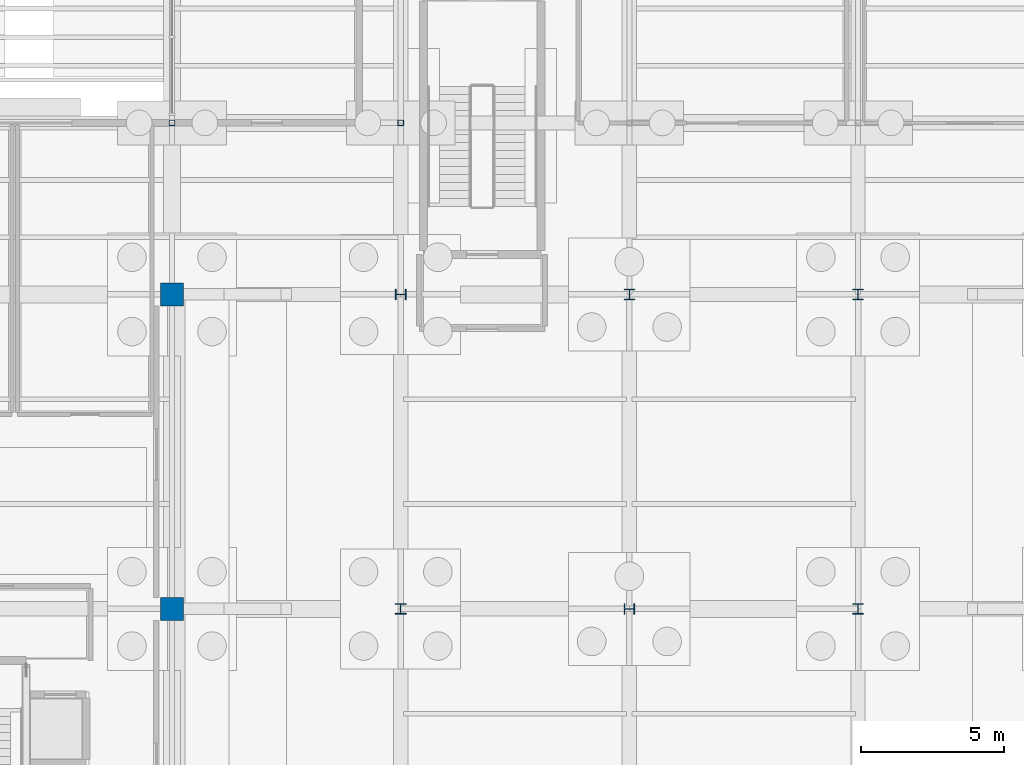
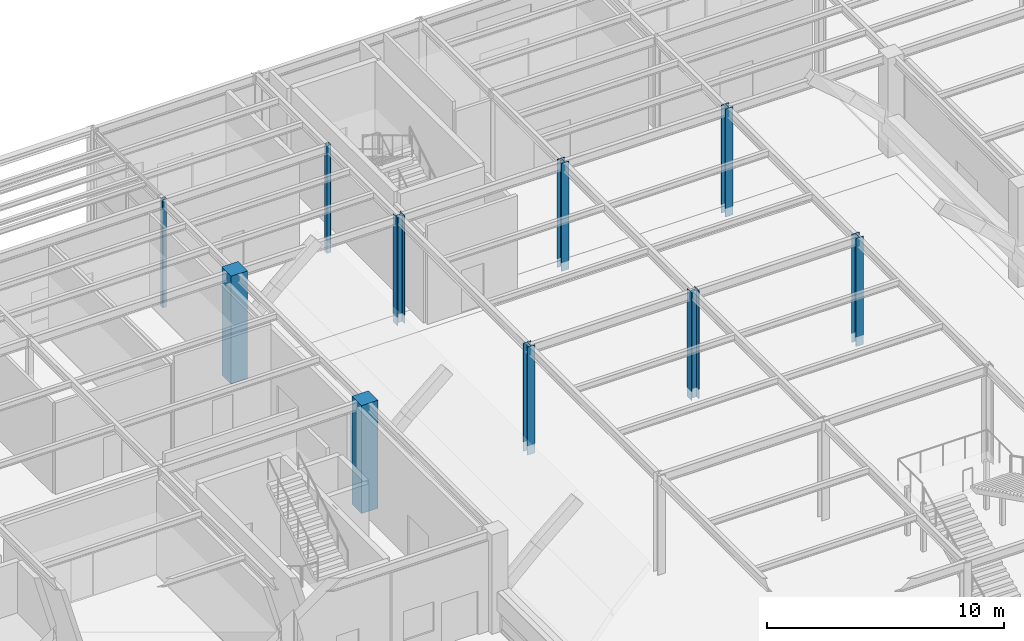
# One storey, part 22 of 129: 10 columns.
"""IFC4 building model written with IfcOpenShell, lengths in metres."""

import ifcopenshell
import ifcopenshell.guid

model = None  # the IFC model being written
_history = None  # IfcOwnerHistory: only IFC2X3 demands one
_inside = {}  # id of a spatial element -> (the spatial element, [elements in it])
_under = {}  # id of a project, library or spatial element -> (it, [spatial elements below it])
_declared = {}  # id of a project -> (the project, [libraries it declares])
_typed = {}  # id of a type object -> (the type object, [elements of that type])
_made_of = {}  # id of a material, layer set ... -> (it, [elements and type objects made of it])


def new_model(schema):
    """Start an empty IFC model of exactly this schema.

    Asked for "IFC4X3", IfcOpenShell would pick the latest addendum, in which some entities
    have other attributes; the version numbers below select the first issue.
    IFC2X3 requires an IfcOwnerHistory on every rooted entity: one is made here for all.
    """
    global model, _history
    if schema == "IFC4X3":
        model = ifcopenshell.file(schema_version=(4, 3, 0, 0))
    else:
        model = ifcopenshell.file(schema=schema)
    _inside.clear()
    _under.clear()
    _declared.clear()
    _typed.clear()
    _made_of.clear()
    _history = None
    if model.schema == "IFC2X3":
        org = make("IfcOrganization", Name="unknown")
        user = make(
            "IfcPersonAndOrganization",
            ThePerson=make("IfcPerson", FamilyName="unknown"),
            TheOrganization=org,
        )
        app = make(
            "IfcApplication",
            ApplicationDeveloper=org,
            Version="unknown",
            ApplicationFullName="unknown",
            ApplicationIdentifier="unknown",
        )
        _history = make(
            "IfcOwnerHistory",
            OwningUser=user,
            OwningApplication=app,
            ChangeAction="ADDED",
            CreationDate=0,
        )
    return model


def make(cls, **values):
    """One entity of the class cls with the attributes given. An attribute that is None is left unset."""
    return model.create_entity(
        cls, **{name: value for name, value in values.items() if value is not None}
    )


def rooted(cls, **values):
    """An entity with a GlobalId (a new one), such as an element, a storey or a relation."""
    return make(cls, GlobalId=ifcopenshell.guid.new(), OwnerHistory=_history, **values)


def si_unit(unit_type, name, prefix=None):
    """IfcSIUnit, for example si_unit("LENGTHUNIT", "METRE", prefix="MILLI")."""
    return make("IfcSIUnit", UnitType=unit_type, Prefix=prefix, Name=name)


def assignment(units):
    """IfcUnitAssignment: the units of a project."""
    return None if units is None else make("IfcUnitAssignment", Units=units)


def point(xyz):
    """IfcCartesianPoint."""
    return None if xyz is None else make("IfcCartesianPoint", Coordinates=xyz)


def direction(xyz):
    """IfcDirection."""
    return None if xyz is None else make("IfcDirection", DirectionRatios=xyz)


def frame(location, z_axis=None, x_axis=None):
    """IfcAxis2Placement3D, a coordinate frame: its origin and axes. An axis left out is left unset."""
    return make(
        "IfcAxis2Placement3D",
        Location=point(location),
        Axis=direction(z_axis),
        RefDirection=direction(x_axis),
    )


def frame_2d(location, x_axis=None):
    """IfcAxis2Placement2D, a coordinate frame in the plane: its origin and x axis."""
    return make(
        "IfcAxis2Placement2D", Location=point(location), RefDirection=direction(x_axis)
    )


def origin():
    """The frame at (0, 0, 0) with its axes left unset."""
    return frame((0.0, 0.0, 0.0))


def origin_2d():
    """The frame at (0, 0) in the plane with its x axis left unset."""
    return frame_2d((0.0, 0.0))


def place(relative_to, where):
    """IfcLocalPlacement: puts the frame where relative to a parent placement (None: the world)."""
    return make(
        "IfcLocalPlacement", PlacementRelTo=relative_to, RelativePlacement=where
    )


def context(
    kind, dimensions, precision=None, world=None, true_north=None, identifier=None
):
    """IfcGeometricRepresentationContext, for example the 3D "Model" context."""
    return make(
        "IfcGeometricRepresentationContext",
        ContextIdentifier=identifier,
        ContextType=kind,
        CoordinateSpaceDimension=dimensions,
        Precision=precision,
        WorldCoordinateSystem=world,
        TrueNorth=true_north,
    )


def subcontext(parent, identifier, kind, view, scale=None):
    """IfcGeometricRepresentationSubContext, for example "Body" below "Model"."""
    return make(
        "IfcGeometricRepresentationSubContext",
        ContextIdentifier=identifier,
        ContextType=kind,
        ParentContext=parent,
        TargetScale=scale,
        TargetView=view,
    )


def project(units=None, contexts=None):
    """IfcProject with its units and contexts."""
    return rooted(
        "IfcProject",
        Name="project",
        RepresentationContexts=contexts,
        UnitsInContext=assignment(units),
    )


def spatial(cls, under=None, at=None, **own):
    """A site, building, storey or space (cls), placed at a placement, below another one or the project."""
    s = rooted(cls, ObjectPlacement=at, **own)
    if under is not None:
        _under.setdefault(under.id(), (under, []))[1].append(s)
    return s


def profile(cls, at=None, kind="AREA", **sizes):
    """A parametric profile (cls). Its sizes go by their IFC names, for example OverallWidth=200.0."""
    return make(cls, ProfileType=kind, Position=at, **sizes)


def rectangle(**sizes):
    """IfcRectangleProfileDef."""
    return profile("IfcRectangleProfileDef", **sizes)


def hollow_rectangle(**sizes):
    """IfcRectangleHollowProfileDef."""
    return profile("IfcRectangleHollowProfileDef", **sizes)


def i_section(**sizes):
    """IfcIShapeProfileDef."""
    return profile("IfcIShapeProfileDef", **sizes)


def extrude(swept, where, along, depth):
    """IfcExtrudedAreaSolid: the profile swept, set in the frame where, extruded along a direction by depth."""
    return make(
        "IfcExtrudedAreaSolid",
        SweptArea=swept,
        Position=where,
        ExtrudedDirection=direction(along),
        Depth=depth,
    )


def shape(context_of_items, identifier, shape_type, items):
    """IfcShapeRepresentation: the items that make up one representation, for example the "Body"."""
    return make(
        "IfcShapeRepresentation",
        ContextOfItems=context_of_items,
        RepresentationIdentifier=identifier,
        RepresentationType=shape_type,
        Items=items,
    )


def material(Name=None, Category=None):
    """IfcMaterial."""
    return make("IfcMaterial", Name=Name, Category=Category)


def material_profile(
    of_material, cross_section, Name=None, Category=None, Priority=None
):
    """IfcMaterialProfile: a cross section and its material."""
    return make(
        "IfcMaterialProfile",
        Name=Name,
        Material=of_material,
        Profile=cross_section,
        Priority=Priority,
        Category=Category,
    )


def profile_set(profiles, Name=None, composite=None):
    """IfcMaterialProfileSet."""
    return make(
        "IfcMaterialProfileSet",
        Name=Name,
        MaterialProfiles=profiles,
        CompositeProfile=composite,
    )


def made_of(thing, what):
    """Note that an element or type object is made of a material, layer set ...; save() writes the relation."""
    if what is not None:
        _made_of.setdefault(what.id(), (what, []))[1].append(thing)
    return thing


def type_object(cls, material=None, **own):
    """A type object (cls), such as IfcWallType, which elements share."""
    return made_of(rooted(cls, **own), material)


def element(
    cls,
    number,
    at=None,
    inside=None,
    cuts=None,
    type_object=None,
    material=None,
    context=None,
    identifier="Body",
    shape_type=None,
    held_by="IfcProductDefinitionShape",
    body=None,
    shapes=None,
    **own,
):
    """One element of the class cls, such as IfcWall. Its Tag is "e" and its number.

    at: its placement. inside: the storey or other place that contains it. cuts: it is an
    opening in that element (IfcRelVoidsElement). A single representation is given by context,
    identifier, shape_type and body (its items); several are given by shapes. held_by: the class
    of the entity that holds the representations. save() writes the other relations.
    """
    e = rooted(cls, Tag="e%d" % number, ObjectPlacement=at, **own)
    if body is not None:
        shapes = [shape(context, identifier, shape_type, body)]
    if shapes is not None:
        e.Representation = make(held_by, Representations=shapes)
    if inside is not None:
        _inside.setdefault(inside.id(), (inside, []))[1].append(e)
    if cuts is not None:
        rooted(
            "IfcRelVoidsElement", RelatingBuildingElement=cuts, RelatedOpeningElement=e
        )
    if type_object is not None:
        _typed.setdefault(type_object.id(), (type_object, []))[1].append(e)
    return made_of(e, material)


def aggregate(whole, parts):
    """IfcRelAggregates: a whole, such as a stair, and the parts it consists of."""
    return rooted("IfcRelAggregates", RelatingObject=whole, RelatedObjects=parts)


def save(model, path):
    """Write the relations noted so far, then the file.

    IfcRelAggregates (storeys below a building ...), IfcRelContainedInSpatialStructure (elements
    in a storey), IfcRelDefinesByType, IfcRelAssociatesMaterial and IfcRelDeclares: one each for
    every whole, place, type object, material and project.
    """
    for whole, parts in _under.values():
        aggregate(whole, parts)
    for where, things in _inside.values():
        rooted(
            "IfcRelContainedInSpatialStructure",
            RelatedElements=things,
            RelatingStructure=where,
        )
    for kind, things in _typed.values():
        rooted("IfcRelDefinesByType", RelatedObjects=things, RelatingType=kind)
    for what, things in _made_of.values():
        rooted("IfcRelAssociatesMaterial", RelatedObjects=things, RelatingMaterial=what)
    for by, libraries in _declared.values():
        rooted("IfcRelDeclares", RelatingContext=by, RelatedDefinitions=libraries)
    model.write(path)


model = new_model("IFC4")

# Units and contexts
model_context = context("Model", 3, precision=1e-05, world=origin(), true_north=direction((0.0, 1.0)))
body_context = subcontext(model_context, "Body", "Model", "MODEL_VIEW")
ifc_project = project(units=[si_unit("LENGTHUNIT", "METRE"), si_unit("AREAUNIT", "SQUARE_METRE"), si_unit("VOLUMEUNIT", "CUBIC_METRE"), si_unit("PLANEANGLEUNIT", "RADIAN"), si_unit("MASSUNIT", "GRAM", prefix="KILO")], contexts=[model_context])

# Site, building, storey
site_placement = place(None, origin())
site = spatial("IfcSite", under=ifc_project, at=site_placement, CompositionType="ELEMENT")
building_placement = place(site_placement, origin())
building = spatial("IfcBuilding", under=site, at=building_placement, Name="Sitalva Quay Ferry Terminal", CompositionType="ELEMENT")
storey_placement = place(building_placement, origin())
storey = spatial("IfcBuildingStorey", under=building, at=storey_placement, Name="L01", CompositionType="ELEMENT", Elevation=0.0)

# Columns
ifc_material_1 = material(Name="Concrete C40/50", Category="concrete")
ifc_material_profile_1 = material_profile(ifc_material_1, rectangle(XDim=0.800048828125, YDim=0.800048828125, at=origin_2d()), Name="RC800x800")
ifc_profile_set_1 = profile_set([ifc_material_profile_1], Name="Concrete C40/50")
column_type_1 = type_object("IfcColumnType", Name="Col_RC800x800", PredefinedType="COLUMN", material=ifc_profile_set_1)
for number, where, z_axis, x_axis, name in (
    (1, (42.0, 89.0, -0.449951171875), (0.0, 0.0, 1.0), (1.0, 0.0, 0.0), "L01 column 6K"),
    (2, (42.0, 100.0, -0.449951171875), (0.0, 0.0, 1.0), (1.0, 0.0, 0.0), "L01 column 6L"),
):
    element("IfcColumn", number, at=place(storey_placement, frame(where, z_axis=z_axis, x_axis=x_axis)), inside=storey, type_object=column_type_1, Name=name, PredefinedType="COLUMN", context=body_context, shape_type="SweptSolid", body=[
        extrude(rectangle(XDim=0.800048828125, YDim=0.800048828125, at=origin_2d()), origin(), (0.0, 0.0, 1.0), 5.570068359375),
    ])
ifc_material_2 = material(Name="Structural Steel S355JR", Category="steel")
ifc_material_profile_2 = material_profile(ifc_material_2, hollow_rectangle(XDim=0.199951171875, YDim=0.199951171875, WallThickness=0.010009765625, InnerFilletRadius=0.010009765625, OuterFilletRadius=0.02001953125, at=origin_2d()), Name="SHS200x200x10")
ifc_profile_set_2 = profile_set([ifc_material_profile_2], Name="Structural Steel S355JR")
column_type_2 = type_object("IfcColumnType", Name="Col_SHS200x10", PredefinedType="COLUMN", material=ifc_profile_set_2)
for number, where, z_axis, x_axis, name in (
    (3, (42.0, 106.0, -0.449951171875), (0.0, 0.0, 1.0), (1.0, 0.0, 0.0), "L01 column 6M"),
    (4, (50.0, 106.0, -0.449951171875), (0.0, 0.0, 1.0), (1.0, 0.0, 0.0), "L01 column 7M"),
):
    element("IfcColumn", number, at=place(storey_placement, frame(where, z_axis=z_axis, x_axis=x_axis)), inside=storey, type_object=column_type_2, Name=name, PredefinedType="COLUMN", context=body_context, shape_type="SweptSolid", body=[
        extrude(hollow_rectangle(XDim=0.199951171875, YDim=0.199951171875, WallThickness=0.010009765625, InnerFilletRadius=0.010009765625, OuterFilletRadius=0.02001953125, at=origin_2d()), origin(), (0.0, 0.0, 1.0), 5.570068359375),
    ])
ifc_material_3 = material(Name="Structural Steel S355JR", Category="steel")
ifc_material_profile_3 = material_profile(ifc_material_3, i_section(OverallWidth=0.3740234375, OverallDepth=0.3720703125, WebThickness=0.016357421875, FlangeThickness=0.026123046875, FilletRadius=0.01611328125, at=origin_2d()), Name="W360x196")
ifc_profile_set_3 = profile_set([ifc_material_profile_3], Name="Structural Steel S355JR")
column_type_3 = type_object("IfcColumnType", Name="Col_W360x196", PredefinedType="COLUMN", material=ifc_profile_set_3)
for number, where, z_axis, x_axis, name in (
    (5, (50.0, 89.0, -0.449951171875), (0.0, 0.0, 1.0), (1.0, 0.0, 0.0), "L01 column 7K"),
    (6, (58.0, 89.0, -0.449951171875), (0.0, 0.0, 1.0), (0.0, 1.0, 0.0), "L01 column 8K"),
    (7, (66.0, 89.0, -0.449951171875), (0.0, 0.0, 1.0), (1.0, 0.0, 0.0), "L01 column 9K"),
    (8, (50.0, 100.0, -0.449951171875), (0.0, 0.0, 1.0), (0.0, 1.0, 0.0), "L01 column 7L"),
    (9, (58.0, 100.0, -0.449951171875), (0.0, 0.0, 1.0), (1.0, 0.0, 0.0), "L01 column 8L"),
    (10, (66.0, 100.0, -0.449951171875), (0.0, 0.0, 1.0), (1.0, 0.0, 0.0), "L01 column 9L"),
):
    element("IfcColumn", number, at=place(storey_placement, frame(where, z_axis=z_axis, x_axis=x_axis)), inside=storey, type_object=column_type_3, Name=name, PredefinedType="COLUMN", context=body_context, shape_type="SweptSolid", body=[
        extrude(i_section(OverallWidth=0.3740234375, OverallDepth=0.3720703125, WebThickness=0.016357421875, FlangeThickness=0.026123046875, FilletRadius=0.01611328125, at=origin_2d()), origin(), (0.0, 0.0, 1.0), 5.570068359375),
    ])

save(model, "model.ifc")
